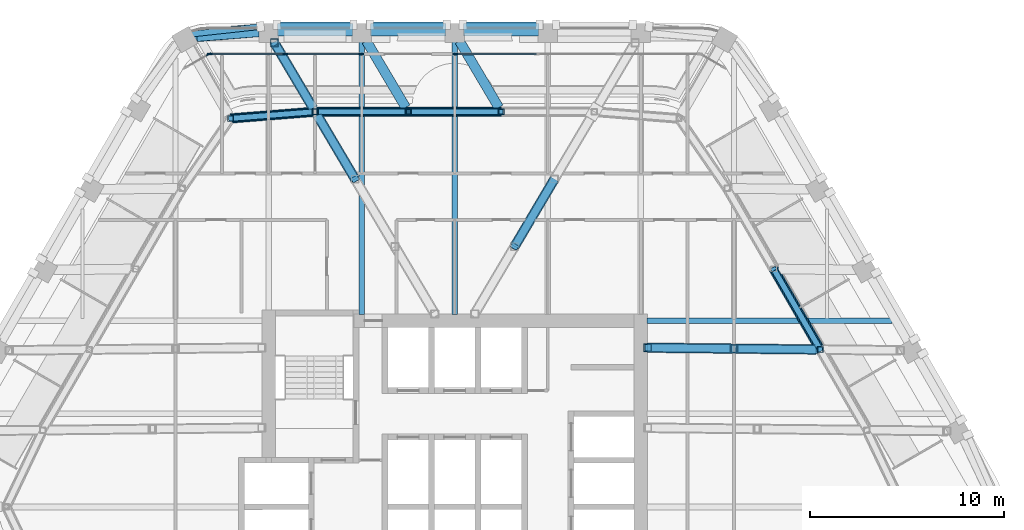
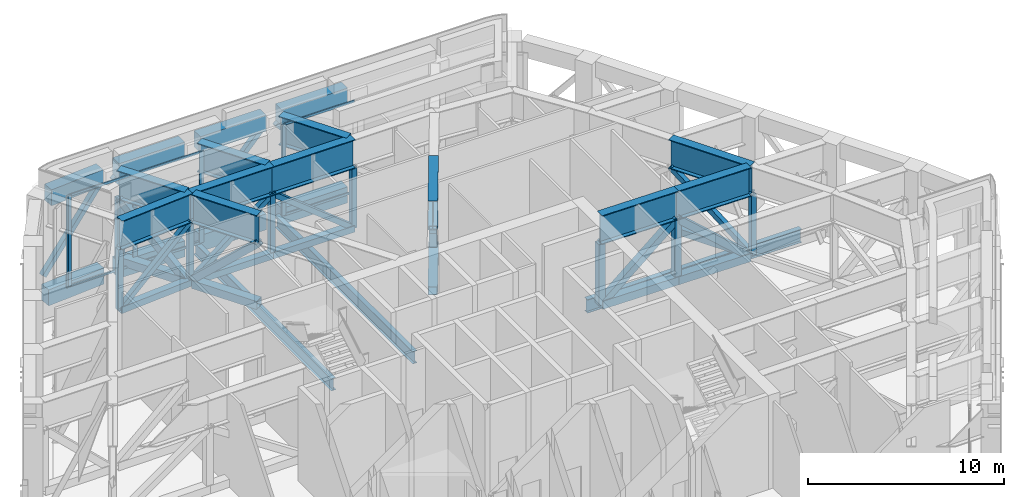
# One storey, part 9 of 24: 41 members, 22 beams, 3 elements without a shape of their own.
"""IFC4 building model written with IfcOpenShell, lengths in metres."""

from ifc_helpers import new_model, si_unit, direction, frame, origin, origin_2d, place, context, subcontext, project, spatial, rectangle, hollow_rectangle, i_section, extrude, material, material_profile, profile_set, type_object, element, aggregate, save


model = new_model("IFC4")

# Units and contexts
model_context = context("Model", 3, precision=1e-05, world=origin(), true_north=direction((0.0, 1.0)))
body_context = subcontext(model_context, "Body", "Model", "MODEL_VIEW")
ifc_project = project(units=[si_unit("LENGTHUNIT", "METRE"), si_unit("AREAUNIT", "SQUARE_METRE"), si_unit("VOLUMEUNIT", "CUBIC_METRE"), si_unit("PLANEANGLEUNIT", "RADIAN"), si_unit("MASSUNIT", "GRAM", prefix="KILO")], contexts=[model_context])

# Site, building, storey
site_placement = place(None, origin())
site = spatial("IfcSite", under=ifc_project, at=site_placement, CompositionType="ELEMENT")
building_placement = place(site_placement, origin())
building = spatial("IfcBuilding", under=site, at=building_placement, Name="Kolab Exchange Tower", CompositionType="ELEMENT")
storey_placement = place(building_placement, frame((0.0, 0.0, 216.800048828125)))
storey = spatial("IfcBuildingStorey", under=building, at=storey_placement, Name="L47", CompositionType="ELEMENT", Elevation=216.800048828125)

# Members
ifc_material_1 = material(Name="Steel S355", Category="steel")
ifc_material_profile_1 = material_profile(ifc_material_1, hollow_rectangle(XDim=0.300048828125, YDim=0.300048828125, WallThickness=0.01611328125, at=origin_2d()), Name="HSS300X300X16")
ifc_profile_set_1 = profile_set([ifc_material_profile_1], Name="Steel S355")
member_type_1 = type_object("IfcMemberType", Name="BELT TRUSS BRACE HSS300X300X16", PredefinedType="BRACE", material=ifc_profile_set_1)
member_1_placement = place(storey_placement, frame((-11.56787109375, 20.036376953125, 0.25), z_axis=(0.753086281984, 0.060024651395, 0.655177909512), x_axis=(-0.079452902216, 0.996838621006, 0.0)))
element("IfcMember", 1, at=member_1_placement, inside=storey, type_object=member_type_1, Name="mem/L47/ring/d-F1-01", PredefinedType="BRACE", context=body_context, shape_type="SweptSolid", body=[
    extrude(hollow_rectangle(XDim=0.300048828125, YDim=0.300048828125, WallThickness=0.01611328125, at=origin_2d()), origin(), (0.0, 0.0, 1.0), 5.800048828125),
])
for number, where, z_axis, x_axis, name in (
    (2, (-7.199951171875, 20.384521484375, 0.25), (0.784045015832, 0.0, 0.620703965791), (0.0, 1.0, 0.0), "mem/L47/ring/d-F1-02"),
    (3, (-2.39990234375, 20.384521484375, 4.050048828125), (0.784029651106, 0.0, -0.62072337332), (0.0, 1.0, 0.0), "mem/L47/ring/d-F1-03"),
    (4, (16.45361328125, 12.270751953125, 4.050048828125), (0.392004841722, -0.679009810783, -0.620707564741), (0.866037363387, 0.499979284789, 0.0), "mem/L47/ring/d-F2-03"),
):
    element("IfcMember", number, at=place(storey_placement, frame(where, z_axis=z_axis, x_axis=x_axis)), inside=storey, type_object=member_type_1, Name=name, PredefinedType="BRACE", context=body_context, shape_type="SweptSolid", body=[
        extrude(hollow_rectangle(XDim=0.300048828125, YDim=0.300048828125, WallThickness=0.01611328125, at=origin_2d()), origin(), (0.0, 0.0, 1.0), 6.1220703125),
    ])
member_2_placement = place(storey_placement, frame((-13.582763671875, 24.388916015625, 0.39990234375), z_axis=(0.635039153675, 0.069365949652, 0.769359238801), x_axis=(-0.108585115076, 0.994087155527, 0.0)))
element("IfcMember", 5, at=member_2_placement, inside=storey, type_object=member_type_1, Name="mem/L47/fb/F1-01", PredefinedType="BRACE", context=body_context, shape_type="SweptSolid", body=[
    extrude(hollow_rectangle(XDim=0.300048828125, YDim=0.300048828125, WallThickness=0.01611328125, at=origin_2d()), origin(), (0.0, 0.0, 1.0), 5.589111328125),
])
member_3_placement = place(storey_placement, frame((-9.1669921875, 24.864990234375, 4.699951171875), z_axis=(0.6750129769, 0.0, -0.737805855911), x_axis=(0.0, 1.0, 0.0)))
element("IfcMember", 6, at=member_3_placement, inside=storey, type_object=member_type_1, Name="mem/L47/fb/F1-02", PredefinedType="BRACE", context=body_context, shape_type="SweptSolid", body=[
    extrude(hollow_rectangle(XDim=0.300048828125, YDim=0.300048828125, WallThickness=0.01611328125, at=origin_2d()), origin(), (0.0, 0.0, 1.0), 5.828125),
])
for number, where, z_axis, x_axis, name in (
    (7, (-4.3671875, 24.864990234375, 0.39990234375), (0.675035778984, 0.0, 0.73778499381), (0.0, 1.0, 0.0), "mem/L47/fb/F1-03"),
    (8, (0.432861328125, 24.864990234375, 4.699951171875), (0.675035778984, 0.0, -0.73778499381), (0.0, 1.0, 0.0), "mem/L47/fb/F1-04"),
):
    element("IfcMember", number, at=place(storey_placement, frame(where, z_axis=z_axis, x_axis=x_axis)), inside=storey, type_object=member_type_1, Name=name, PredefinedType="BRACE", context=body_context, shape_type="SweptSolid", body=[
        extrude(hollow_rectangle(XDim=0.300048828125, YDim=0.300048828125, WallThickness=0.01611328125, at=origin_2d()), origin(), (0.0, 0.0, 1.0), 5.828369140625),
    ])
ifc_material_profile_2 = material_profile(ifc_material_1, hollow_rectangle(XDim=0.39990234375, YDim=0.39990234375, WallThickness=0.02001953125, at=origin_2d()), Name="HSS400X400X20")
ifc_profile_set_2 = profile_set([ifc_material_profile_2], Name="Steel S355")
member_type_2 = type_object("IfcMemberType", Name="BELT TRUSS CHORD HSS400X400X20", PredefinedType="CHORD", material=ifc_profile_set_2)
member_4_placement = place(storey_placement, frame((-11.56787109375, 20.036376953125, 0.25), z_axis=(0.996838621006, 0.079452902216, 0.0), x_axis=(-0.079452902216, 0.996838621006, 0.0)))
element("IfcMember", 9, at=member_4_placement, inside=storey, type_object=member_type_2, Name="mem/L47/ring/c-F1-01", PredefinedType="CHORD", context=body_context, shape_type="SweptSolid", body=[
    extrude(hollow_rectangle(XDim=0.39990234375, YDim=0.39990234375, WallThickness=0.02001953125, at=origin_2d()), origin(), (0.0, 0.0, 1.0), 4.3818359375),
])
member_5_placement = place(storey_placement, frame((-7.199951171875, 20.384521484375, 0.25), z_axis=(1.0, 0.0, 0.0), x_axis=(0.0, 1.0, 0.0)))
element("IfcMember", 10, at=member_5_placement, inside=storey, type_object=member_type_2, Name="mem/L47/ring/c-F1-02", PredefinedType="CHORD", context=body_context, shape_type="SweptSolid", body=[
    extrude(hollow_rectangle(XDim=0.39990234375, YDim=0.39990234375, WallThickness=0.02001953125, at=origin_2d()), origin(), (0.0, 0.0, 1.0), 4.800048828125),
])
member_6_placement = place(storey_placement, frame((-2.39990234375, 20.384521484375, 0.25), z_axis=(1.0, 0.0, 0.0), x_axis=(0.0, 1.0, 0.0)))
element("IfcMember", 11, at=member_6_placement, inside=storey, type_object=member_type_2, Name="mem/L47/ring/c-F1-03", PredefinedType="CHORD", context=body_context, shape_type="SweptSolid", body=[
    extrude(hollow_rectangle(XDim=0.39990234375, YDim=0.39990234375, WallThickness=0.02001953125, at=origin_2d()), origin(), (0.0, 0.0, 1.0), 4.7998046875),
])
member_7_placement = place(storey_placement, frame((16.45361328125, 12.270751953125, 0.25), z_axis=(0.499979284789, -0.866037363387, 0.0), x_axis=(0.866037363387, 0.499979284789, 0.0)))
element("IfcMember", 12, at=member_7_placement, inside=storey, type_object=member_type_2, Name="mem/L47/ring/c-F2-03", PredefinedType="CHORD", context=body_context, shape_type="SweptSolid", body=[
    extrude(hollow_rectangle(XDim=0.39990234375, YDim=0.39990234375, WallThickness=0.02001953125, at=origin_2d()), origin(), (0.0, 0.0, 1.0), 4.800048828125),
])

# Beams
ifc_material_profile_3 = material_profile(ifc_material_1, i_section(OverallWidth=0.5, OverallDepth=1.800048828125, WebThickness=0.031982421875, FlangeThickness=0.050048828125, at=origin_2d()), Name="PG1800X500")
ifc_profile_set_3 = profile_set([ifc_material_profile_3], Name="Steel S355")
beam_type_1 = type_object("IfcBeamType", Name="BELT TRUSS GIRDER PG1800X500", PredefinedType="BEAM", material=ifc_profile_set_3)
beam_1_placement = place(storey_placement, frame((-11.56787109375, 20.036376953125, 4.949951171875), z_axis=(0.996838621006, 0.079452902216, 0.0), x_axis=(-0.079452902216, 0.996838621006, 0.0)))
element("IfcBeam", 13, at=beam_1_placement, inside=storey, type_object=beam_type_1, Name="beam/L47/bg/F1-in", PredefinedType="BEAM", context=body_context, shape_type="SweptSolid", body=[
    extrude(i_section(OverallWidth=0.5, OverallDepth=1.800048828125, WebThickness=0.031982421875, FlangeThickness=0.050048828125, at=origin_2d()), origin(), (0.0, 0.0, 1.0), 4.3818359375),
])
beam_2_placement = place(storey_placement, frame((-7.199951171875, 20.384521484375, 4.949951171875), z_axis=(1.0, 0.0, 0.0), x_axis=(0.0, 1.0, 0.0)))
element("IfcBeam", 14, at=beam_2_placement, inside=storey, type_object=beam_type_1, Name="beam/L47/bg/F1-run0", PredefinedType="BEAM", context=body_context, shape_type="SweptSolid", body=[
    extrude(i_section(OverallWidth=0.5, OverallDepth=1.800048828125, WebThickness=0.031982421875, FlangeThickness=0.050048828125, at=origin_2d()), origin(), (0.0, 0.0, 1.0), 4.800048828125),
])
beam_3_placement = place(storey_placement, frame((-2.39990234375, 20.384521484375, 4.949951171875), z_axis=(1.0, 0.0, 0.0), x_axis=(0.0, 1.0, 0.0)))
element("IfcBeam", 15, at=beam_3_placement, inside=storey, type_object=beam_type_1, Name="beam/L47/bg/F1-run1", PredefinedType="BEAM", context=body_context, shape_type="SweptSolid", body=[
    extrude(i_section(OverallWidth=0.5, OverallDepth=1.800048828125, WebThickness=0.031982421875, FlangeThickness=0.050048828125, at=origin_2d()), origin(), (0.0, 0.0, 1.0), 4.7998046875),
])
beam_4_placement = place(storey_placement, frame((16.45361328125, 12.270751953125, 4.949951171875), z_axis=(0.499979284789, -0.866037363387, 0.0), x_axis=(0.866037363387, 0.499979284789, 0.0)))
element("IfcBeam", 16, at=beam_4_placement, inside=storey, type_object=beam_type_1, Name="beam/L47/bg/F2-run1", PredefinedType="BEAM", context=body_context, shape_type="SweptSolid", body=[
    extrude(i_section(OverallWidth=0.5, OverallDepth=1.800048828125, WebThickness=0.031982421875, FlangeThickness=0.050048828125, at=origin_2d()), origin(), (0.0, 0.0, 1.0), 4.800048828125),
])

# Members
ifc_material_profile_4 = material_profile(ifc_material_1, hollow_rectangle(XDim=0.300048828125, YDim=0.300048828125, WallThickness=0.01611328125, at=origin_2d()), Name="HSS300X300X16")
ifc_profile_set_4 = profile_set([ifc_material_profile_4], Name="Steel S355")
member_type_3 = type_object("IfcMemberType", Name="BELT TRUSS POST HSS300X300X16", PredefinedType="POST", material=ifc_profile_set_4)
for number, where, z_axis, x_axis, name in (
    (17, (-11.56787109375, 20.036376953125, 0.25), (0.0, 0.0, 1.0), (1.0, 0.0, 0.0), "mem/L47/ring/p-F1-01"),
    (18, (-7.199951171875, 20.384521484375, 0.25), (0.0, 0.0, 1.0), (1.0, 0.0, 0.0), "mem/L47/ring/p-F1-02"),
    (19, (-2.39990234375, 20.384521484375, 0.25), (0.0, 0.0, 1.0), (1.0, 0.0, 0.0), "mem/L47/ring/p-F1-03"),
    (20, (2.39990234375, 20.384521484375, 0.25), (0.0, 0.0, 1.0), (1.0, 0.0, 0.0), "mem/L47/ring/p-F1-04"),
    (21, (18.853515625, 8.11376953125, 0.25), (0.0, 0.0, 1.0), (1.0, 0.0, 0.0), "mem/L47/ring/p-F2-04"),
):
    element("IfcMember", number, at=place(storey_placement, frame(where, z_axis=z_axis, x_axis=x_axis)), inside=storey, type_object=member_type_3, Name=name, PredefinedType="POST", context=body_context, shape_type="SweptSolid", body=[
        extrude(hollow_rectangle(XDim=0.300048828125, YDim=0.300048828125, WallThickness=0.01611328125, at=origin_2d()), origin(), (0.0, 0.0, 1.0), 3.800048828125),
    ])

# Beams
ifc_material_profile_5 = material_profile(ifc_material_1, i_section(OverallWidth=0.26708984375, OverallDepth=0.761962890625, WebThickness=0.014404296875, FlangeThickness=0.021484375, at=origin_2d()), Name="W760X173")
ifc_profile_set_5 = profile_set([ifc_material_profile_5], Name="Steel S355")
beam_type_2 = type_object("IfcBeamType", Name="FLOOR BEAM W760X173", PredefinedType="BEAM", material=ifc_profile_set_5)
for number, where, z_axis, x_axis, name in (
    (22, (-4.800048828125, 9.909912109375, -0.68115234375), (0.0, 1.0, 0.0), (-1.0, 0.0, 0.0), "beam/L47/fr/010"),
    (23, (0.0, 9.909912109375, -0.68115234375), (0.0, 1.0, 0.0), (-1.0, 0.0, 0.0), "beam/L47/fr/012"),
):
    element("IfcBeam", number, at=place(storey_placement, frame(where, z_axis=z_axis, x_axis=x_axis)), inside=storey, type_object=beam_type_2, Name=name, PredefinedType="BEAM", context=body_context, shape_type="SweptSolid", body=[
        extrude(i_section(OverallWidth=0.26708984375, OverallDepth=0.761962890625, WebThickness=0.014404296875, FlangeThickness=0.021484375, at=origin_2d()), origin(), (0.0, 0.0, 1.0), 14.071533203125),
    ])
ifc_material_profile_6 = material_profile(ifc_material_1, i_section(OverallWidth=0.2919921875, OverallDepth=0.840087890625, WebThickness=0.0146484375, FlangeThickness=0.021728515625, at=origin_2d()), Name="W840X193")
ifc_profile_set_6 = profile_set([ifc_material_profile_6], Name="Steel S355")
beam_type_3 = type_object("IfcBeamType", Name="FLOOR GIRDER W840X193", PredefinedType="BEAM", material=ifc_profile_set_6)
beam_5_placement = place(storey_placement, frame((9.909912109375, 9.60009765625, -0.719970703125), z_axis=(1.0, 0.0, 0.0), x_axis=(0.0, 1.0, 0.0)))
element("IfcBeam", 24, at=beam_5_placement, inside=storey, type_object=beam_type_3, Name="beam/L47/gd/003", PredefinedType="BEAM", context=body_context, shape_type="SweptSolid", body=[
    extrude(i_section(OverallWidth=0.2919921875, OverallDepth=0.840087890625, WebThickness=0.0146484375, FlangeThickness=0.021728515625, at=origin_2d()), origin(), (0.0, 0.0, 1.0), 12.636962890625),
])

# Members
ifc_material_profile_7 = material_profile(ifc_material_1, hollow_rectangle(XDim=0.39990234375, YDim=0.39990234375, WallThickness=0.02001953125, at=origin_2d()), Name="HSS400X400X20")
ifc_profile_set_7 = profile_set([ifc_material_profile_7], Name="Steel S355")
member_type_4 = type_object("IfcMemberType", Name="OUTRIGGER BRACE HSS400X400X20", PredefinedType="BRACE", material=ifc_profile_set_7)
member_8_placement = place(storey_placement, frame((-5.142333984375, 16.906494140625, 4.050048828125), z_axis=(-0.373473447806, 0.631305680359, -0.67968428092), x_axis=(-0.86067015266, -0.509162929051, 0.0)))
element("IfcMember", 25, at=member_8_placement, inside=storey, type_object=member_type_4, Name="mem/L47/out/00/d02", PredefinedType="BRACE", context=body_context, shape_type="SweptSolid", body=[
    extrude(hollow_rectangle(XDim=0.39990234375, YDim=0.39990234375, WallThickness=0.02001953125, at=origin_2d()), origin(), (0.0, 0.0, 1.0), 5.22314453125),
])
member_9_placement = place(storey_placement, frame((-7.306884765625, 20.5654296875, 0.25), z_axis=(-0.365714956135, 0.618152599125, 0.695801649218), x_axis=(-0.860656286669, -0.509186366881, 0.0)))
element("IfcMember", 26, at=member_9_placement, inside=storey, type_object=member_type_4, Name="mem/L47/out/00/d03", PredefinedType="BRACE", context=body_context, shape_type="SweptSolid", body=[
    extrude(hollow_rectangle(XDim=0.39990234375, YDim=0.39990234375, WallThickness=0.02001953125, at=origin_2d()), origin(), (0.0, 0.0, 1.0), 5.46142578125),
])
member_10_placement = place(storey_placement, frame((3.084716796875, 13.42822265625, 4.050048828125), z_axis=(0.370922315511, 0.627020672649, -0.685026796503), x_axis=(-0.860679878671, 0.509146488204, 0.0)))
element("IfcMember", 27, at=member_10_placement, inside=storey, type_object=member_type_4, Name="mem/L47/out/01/d01", PredefinedType="BRACE", context=body_context, shape_type="SweptSolid", body=[
    extrude(hollow_rectangle(XDim=0.39990234375, YDim=0.39990234375, WallThickness=0.02001953125, at=origin_2d()), origin(), (0.0, 0.0, 1.0), 5.54736328125),
])
member_11_placement = place(storey_placement, frame((9.949951171875, 8.208251953125, 0.25), z_axis=(0.760569999289, -0.008049904572, 0.64920603449), x_axis=(0.010583448905, 0.999943993736, 0.0)))
element("IfcMember", 28, at=member_11_placement, inside=storey, type_object=member_type_4, Name="mem/L47/out/02/d00", PredefinedType="BRACE", context=body_context, shape_type="SweptSolid", body=[
    extrude(hollow_rectangle(XDim=0.39990234375, YDim=0.39990234375, WallThickness=0.02001953125, at=origin_2d()), origin(), (0.0, 0.0, 1.0), 5.853271484375),
])
member_12_placement = place(storey_placement, frame((14.40185546875, 8.1611328125, 4.050048828125), z_axis=(0.744795297784, -0.007887782594, -0.667246391736), x_axis=(0.01058994372, 0.999943924974, 0.0)))
element("IfcMember", 29, at=member_12_placement, inside=storey, type_object=member_type_4, Name="mem/L47/out/02/d01", PredefinedType="BRACE", context=body_context, shape_type="SweptSolid", body=[
    extrude(hollow_rectangle(XDim=0.39990234375, YDim=0.39990234375, WallThickness=0.02001953125, at=origin_2d()), origin(), (0.0, 0.0, 1.0), 5.695068359375),
])
ifc_material_profile_8 = material_profile(ifc_material_1, hollow_rectangle(XDim=0.5, YDim=0.5, WallThickness=0.02490234375, at=origin_2d()), Name="HSS500X500X25")
ifc_profile_set_8 = profile_set([ifc_material_profile_8], Name="Steel S355")
member_type_5 = type_object("IfcMemberType", Name="OUTRIGGER CHORD HSS500X500X25", PredefinedType="CHORD", material=ifc_profile_set_8)
member_13_placement = place(storey_placement, frame((-5.142333984375, 16.906494140625, 0.25), z_axis=(-0.509162929051, 0.86067015266, 0.0), x_axis=(-0.86067015266, -0.509162929051, 0.0)))
element("IfcMember", 30, at=member_13_placement, inside=storey, type_object=member_type_5, Name="mem/L47/out/00/c02", PredefinedType="CHORD", context=body_context, shape_type="SweptSolid", body=[
    extrude(hollow_rectangle(XDim=0.5, YDim=0.5, WallThickness=0.02490234375, at=origin_2d()), origin(), (0.0, 0.0, 1.0), 3.8310546875),
])
member_14_placement = place(storey_placement, frame((-7.306884765625, 20.5654296875, 0.25), z_axis=(-0.509186366881, 0.860656286669, 0.0), x_axis=(-0.860656286669, -0.509186366881, 0.0)))
element("IfcMember", 31, at=member_14_placement, inside=storey, type_object=member_type_5, Name="mem/L47/out/00/c03", PredefinedType="CHORD", context=body_context, shape_type="SweptSolid", body=[
    extrude(hollow_rectangle(XDim=0.5, YDim=0.5, WallThickness=0.02490234375, at=origin_2d()), origin(), (0.0, 0.0, 1.0), 3.922607421875),
])
member_15_placement = place(storey_placement, frame((3.084716796875, 13.42822265625, 0.25), z_axis=(0.509146488204, 0.860679878671, 0.0), x_axis=(-0.860679878671, 0.509146488204, 0.0)))
element("IfcMember", 32, at=member_15_placement, inside=storey, type_object=member_type_5, Name="mem/L47/out/01/c01", PredefinedType="CHORD", context=body_context, shape_type="SweptSolid", body=[
    extrude(hollow_rectangle(XDim=0.5, YDim=0.5, WallThickness=0.02490234375, at=origin_2d()), origin(), (0.0, 0.0, 1.0), 4.041259765625),
])
member_16_placement = place(storey_placement, frame((9.949951171875, 8.208251953125, 0.25), z_axis=(0.999943993736, -0.010583448905, 0.0), x_axis=(0.010583448905, 0.999943993736, 0.0)))
element("IfcMember", 33, at=member_16_placement, inside=storey, type_object=member_type_5, Name="mem/L47/out/02/c00", PredefinedType="CHORD", context=body_context, shape_type="SweptSolid", body=[
    extrude(hollow_rectangle(XDim=0.5, YDim=0.5, WallThickness=0.02490234375, at=origin_2d()), origin(), (0.0, 0.0, 1.0), 4.4521484375),
])
member_17_placement = place(storey_placement, frame((14.40185546875, 8.1611328125, 0.25), z_axis=(0.999943924974, -0.01058994372, 0.0), x_axis=(0.01058994372, 0.999943924974, 0.0)))
element("IfcMember", 34, at=member_17_placement, inside=storey, type_object=member_type_5, Name="mem/L47/out/02/c01", PredefinedType="CHORD", context=body_context, shape_type="SweptSolid", body=[
    extrude(hollow_rectangle(XDim=0.5, YDim=0.5, WallThickness=0.02490234375, at=origin_2d()), origin(), (0.0, 0.0, 1.0), 4.241943359375),
])

# Beams
ifc_material_profile_9 = material_profile(ifc_material_1, i_section(OverallWidth=0.5, OverallDepth=1.800048828125, WebThickness=0.031982421875, FlangeThickness=0.050048828125, at=origin_2d()), Name="PG1800X500")
ifc_profile_set_9 = profile_set([ifc_material_profile_9], Name="Steel S355")
beam_type_4 = type_object("IfcBeamType", Name="OUTRIGGER GIRDER PG1800X500", PredefinedType="BEAM", material=ifc_profile_set_9)
beam_6_placement = place(storey_placement, frame((-5.142333984375, 16.906494140625, 4.949951171875), z_axis=(-0.509162929051, 0.86067015266, 0.0), x_axis=(-0.86067015266, -0.509162929051, 0.0)))
element("IfcBeam", 35, at=beam_6_placement, inside=storey, type_object=beam_type_4, Name="beam/L47/og/00-02", PredefinedType="BEAM", context=body_context, shape_type="SweptSolid", body=[
    extrude(i_section(OverallWidth=0.5, OverallDepth=1.800048828125, WebThickness=0.031982421875, FlangeThickness=0.050048828125, at=origin_2d()), origin(), (0.0, 0.0, 1.0), 3.8310546875),
])
beam_7_placement = place(storey_placement, frame((-7.306884765625, 20.5654296875, 4.949951171875), z_axis=(-0.509185871859, 0.860656579536, 0.0), x_axis=(-0.860656579536, -0.509185871859, 0.0)))
element("IfcBeam", 36, at=beam_7_placement, inside=storey, type_object=beam_type_4, Name="beam/L47/og/00-03", PredefinedType="BEAM", context=body_context, shape_type="SweptSolid", body=[
    extrude(i_section(OverallWidth=0.5, OverallDepth=1.800048828125, WebThickness=0.031982421875, FlangeThickness=0.050048828125, at=origin_2d()), origin(), (0.0, 0.0, 1.0), 3.962890625),
])
beam_8_placement = place(storey_placement, frame((3.084716796875, 13.42822265625, 4.949951171875), z_axis=(0.509146488204, 0.860679878671, 0.0), x_axis=(-0.860679878671, 0.509146488204, 0.0)))
element("IfcBeam", 37, at=beam_8_placement, inside=storey, type_object=beam_type_4, Name="beam/L47/og/01-01", PredefinedType="BEAM", context=body_context, shape_type="SweptSolid", body=[
    extrude(i_section(OverallWidth=0.5, OverallDepth=1.800048828125, WebThickness=0.031982421875, FlangeThickness=0.050048828125, at=origin_2d()), origin(), (0.0, 0.0, 1.0), 4.041259765625),
])
beam_9_placement = place(storey_placement, frame((9.909912109375, 8.208740234375, 4.949951171875), z_axis=(0.999943841668, -0.010597806898, 0.0), x_axis=(0.010597806898, 0.999943841668, 0.0)))
element("IfcBeam", 38, at=beam_9_placement, inside=storey, type_object=beam_type_4, Name="beam/L47/og/02-00", PredefinedType="BEAM", context=body_context, shape_type="SweptSolid", body=[
    extrude(i_section(OverallWidth=0.5, OverallDepth=1.800048828125, WebThickness=0.031982421875, FlangeThickness=0.050048828125, at=origin_2d()), origin(), (0.0, 0.0, 1.0), 4.4921875),
])
beam_10_placement = place(storey_placement, frame((14.40185546875, 8.1611328125, 4.949951171875), z_axis=(0.999943924974, -0.01058994372, 0.0), x_axis=(0.01058994372, 0.999943924974, 0.0)))
element("IfcBeam", 39, at=beam_10_placement, inside=storey, type_object=beam_type_4, Name="beam/L47/og/02-01", PredefinedType="BEAM", context=body_context, shape_type="SweptSolid", body=[
    extrude(i_section(OverallWidth=0.5, OverallDepth=1.800048828125, WebThickness=0.031982421875, FlangeThickness=0.050048828125, at=origin_2d()), origin(), (0.0, 0.0, 1.0), 4.241943359375),
])

# Members
ifc_material_profile_10 = material_profile(ifc_material_1, hollow_rectangle(XDim=0.39990234375, YDim=0.39990234375, WallThickness=0.02001953125, at=origin_2d()), Name="HSS400X400X20")
ifc_profile_set_10 = profile_set([ifc_material_profile_10], Name="Steel S355")
member_type_6 = type_object("IfcMemberType", Name="OUTRIGGER POST HSS400X400X20", PredefinedType="POST", material=ifc_profile_set_10)
for number, where, z_axis, x_axis, name in (
    (40, (-9.30419921875, 23.94140625, 0.25), (0.0, 0.0, 1.0), (1.0, 0.0, 0.0), "mem/L47/out/00/p04"),
    (41, (9.949951171875, 8.208251953125, 0.25), (0.0, 0.0, 1.0), (1.0, 0.0, 0.0), "mem/L47/out/02/p00"),
    (42, (14.40185546875, 8.1611328125, 0.25), (0.0, 0.0, 1.0), (1.0, 0.0, 0.0), "mem/L47/out/02/p01"),
):
    element("IfcMember", number, at=place(storey_placement, frame(where, z_axis=z_axis, x_axis=x_axis)), inside=storey, type_object=member_type_6, Name=name, PredefinedType="POST", context=body_context, shape_type="SweptSolid", body=[
        extrude(hollow_rectangle(XDim=0.39990234375, YDim=0.39990234375, WallThickness=0.02001953125, at=origin_2d()), origin(), (0.0, 0.0, 1.0), 3.800048828125),
    ])

# Beams
ifc_material_2 = material(Name="Concrete C60/75", Category="concrete")
ifc_material_profile_11 = material_profile(ifc_material_2, rectangle(XDim=0.64990234375, YDim=1.0, at=origin_2d()), Name="RC650X1000")
ifc_profile_set_11 = profile_set([ifc_material_profile_11], Name="Concrete C60/75")
beam_type_5 = type_object("IfcBeamType", Name="SPANDREL BEAM 650X1000 C60/75", PredefinedType="BEAM", material=ifc_profile_set_11)
beam_11_placement = place(storey_placement, frame((-13.493896484375, 24.2998046875, -0.800048828125), z_axis=(0.996708497182, 0.081068931445, 0.0), x_axis=(-0.081068931445, 0.996708497182, 0.0)))
element("IfcBeam", 43, at=beam_11_placement, inside=storey, type_object=beam_type_5, Name="beam/L47/sp/F1-01", PredefinedType="BEAM", context=body_context, shape_type="SweptSolid", body=[
    extrude(rectangle(XDim=0.64990234375, YDim=1.0, at=origin_2d()), origin(), (0.0, 0.0, 1.0), 3.445068359375),
])
beam_12_placement = place(storey_placement, frame((-9.139892578125, 24.616455078125, -0.800048828125), z_axis=(1.0, 0.0, 0.0), x_axis=(0.0, 1.0, 0.0)))
element("IfcBeam", 44, at=beam_12_placement, inside=storey, type_object=beam_type_5, Name="beam/L47/sp/F1-02", PredefinedType="BEAM", context=body_context, shape_type="SweptSolid", body=[
    extrude(rectangle(XDim=0.64990234375, YDim=1.0, at=origin_2d()), origin(), (0.0, 0.0, 1.0), 3.8798828125),
])
for number, where, z_axis, x_axis, name in (
    (45, (-4.340087890625, 24.616455078125, -0.800048828125), (1.0, 0.0, 0.0), (0.0, 1.0, 0.0), "beam/L47/sp/F1-03"),
    (46, (0.4599609375, 24.616455078125, -0.800048828125), (1.0, 0.0, 0.0), (0.0, 1.0, 0.0), "beam/L47/sp/F1-04"),
):
    element("IfcBeam", number, at=place(storey_placement, frame(where, z_axis=z_axis, x_axis=x_axis)), inside=storey, type_object=beam_type_5, Name=name, PredefinedType="BEAM", context=body_context, shape_type="SweptSolid", body=[
        extrude(rectangle(XDim=0.64990234375, YDim=1.0, at=origin_2d()), origin(), (0.0, 0.0, 1.0), 3.880126953125),
    ])
beam_13_placement = place(storey_placement, frame((-13.306396484375, 24.32958984375, 5.349853515625), z_axis=(0.99700411578, 0.077348517229, 0.0), x_axis=(-0.077348517229, 0.99700411578, 0.0)))
element("IfcBeam", 47, at=beam_13_placement, inside=storey, type_object=beam_type_5, Name="beam/L47/cp/F1-01", PredefinedType="BEAM", context=body_context, shape_type="SweptSolid", body=[
    extrude(rectangle(XDim=0.64990234375, YDim=1.0, at=origin_2d()), origin(), (0.0, 0.0, 1.0), 3.206787109375),
])
beam_14_placement = place(storey_placement, frame((-9.139892578125, 24.616455078125, 5.349853515625), z_axis=(1.0, 0.0, 0.0), x_axis=(0.0, 1.0, 0.0)))
element("IfcBeam", 48, at=beam_14_placement, inside=storey, type_object=beam_type_5, Name="beam/L47/cp/F1-02", PredefinedType="BEAM", context=body_context, shape_type="SweptSolid", body=[
    extrude(rectangle(XDim=0.64990234375, YDim=1.0, at=origin_2d()), origin(), (0.0, 0.0, 1.0), 3.8798828125),
])
for number, where, z_axis, x_axis, name in (
    (49, (-4.340087890625, 24.616455078125, 5.349853515625), (1.0, 0.0, 0.0), (0.0, 1.0, 0.0), "beam/L47/cp/F1-03"),
    (50, (0.4599609375, 24.616455078125, 5.349853515625), (1.0, 0.0, 0.0), (0.0, 1.0, 0.0), "beam/L47/cp/F1-04"),
):
    element("IfcBeam", number, at=place(storey_placement, frame(where, z_axis=z_axis, x_axis=x_axis)), inside=storey, type_object=beam_type_5, Name=name, PredefinedType="BEAM", context=body_context, shape_type="SweptSolid", body=[
        extrude(rectangle(XDim=0.64990234375, YDim=1.0, at=origin_2d()), origin(), (0.0, 0.0, 1.0), 3.880126953125),
    ])
ifc_material_profile_12 = material_profile(ifc_material_1, i_section(OverallWidth=0.5, OverallDepth=1.800048828125, WebThickness=0.031982421875, FlangeThickness=0.050048828125, at=origin_2d()), Name="PG1800X500")
ifc_profile_set_12 = profile_set([ifc_material_profile_12], Name="Steel S355")
beam_type_6 = type_object("IfcBeamType", Name="TRANSFER GIRDER PG1800X500", PredefinedType="BEAM", material=ifc_profile_set_12)
for number, where, z_axis, x_axis, name in (
    (51, (-2.52734375, 20.599853515625, 4.949951171875), (-0.509177309019, 0.860661645468, 0.0), (-0.860661645468, -0.509177309019, 0.0), "beam/L47/tg/F1-03"),
    (52, (2.272705078125, 20.599853515625, 4.949951171875), (-0.509177309019, 0.860661645468, 0.0), (-0.860661645468, -0.509177309019, 0.0), "beam/L47/tg/F1-04"),
):
    element("IfcBeam", number, at=place(storey_placement, frame(where, z_axis=z_axis, x_axis=x_axis)), inside=storey, type_object=beam_type_6, Name=name, PredefinedType="BEAM", context=body_context, shape_type="SweptSolid", body=[
        extrude(i_section(OverallWidth=0.5, OverallDepth=1.800048828125, WebThickness=0.031982421875, FlangeThickness=0.050048828125, at=origin_2d()), origin(), (0.0, 0.0, 1.0), 3.983642578125),
    ])

# Curtain wall, members
ifc_material_3 = material(Name="Aluminium EN AW-6063 T6", Category="aluminium")
curtain_wall_type = type_object("IfcCurtainWallType", Name="UNITISED UPPER MID ZONE DOUBLE HEIGHT BELT CURTAIN WALL", PredefinedType="NOTDEFINED", material=ifc_material_3)
curtain_wall_1_placement = place(storey_placement, origin())
curtain_wall_1 = element("IfcCurtainWall", 53, at=curtain_wall_1_placement, inside=storey, type_object=curtain_wall_type, Name="cw/L47/F1-1", PredefinedType="NOTDEFINED")
ifc_material_profile_13 = material_profile(ifc_material_3, rectangle(XDim=0.06005859375, YDim=0.260009765625, at=origin_2d()), Name="RECT 60X260")
ifc_profile_set_13 = profile_set([ifc_material_profile_13], Name="Aluminium EN AW-6063 T6")
member_type_7 = type_object("IfcMemberType", Name="UNITISED UPPER MID ZONE DOUBLE HEIGHT BELT MULLION 60 X 260", PredefinedType="MULLION", material=ifc_profile_set_13)
member_18_placement = place(storey_placement, frame((-12.637939453125, 23.361572265625, 0.0), z_axis=(0.0, 0.0, 1.0), x_axis=(0.0, 1.0, 0.0)))
member_18 = element("IfcMember", 54, at=member_18_placement, type_object=member_type_7, Name="CW11 mullion 1", PredefinedType="MULLION", context=body_context, shape_type="SweptSolid", body=[
    extrude(rectangle(XDim=0.06005859375, YDim=0.260009765625, at=origin_2d()), origin(), (0.0, 0.0, 1.0), 5.699951171875),
])
member_19_placement = place(storey_placement, frame((-8.73388671875, 23.361572265625, 0.0), z_axis=(0.0, 0.0, 1.0), x_axis=(0.0, 1.0, 0.0)))
member_19 = element("IfcMember", 55, at=member_19_placement, type_object=member_type_7, Name="CW11 mullion 2", PredefinedType="MULLION", context=body_context, shape_type="SweptSolid", body=[
    extrude(rectangle(XDim=0.06005859375, YDim=0.260009765625, at=origin_2d()), origin(), (0.0, 0.0, 1.0), 5.699951171875),
])
member_20_placement = place(storey_placement, frame((-4.830078125, 23.361572265625, 0.0), z_axis=(0.0, 0.0, 1.0), x_axis=(0.0, 1.0, 0.0)))
member_20 = element("IfcMember", 56, at=member_20_placement, type_object=member_type_7, Name="CW11 mullion 3", PredefinedType="MULLION", context=body_context, shape_type="SweptSolid", body=[
    extrude(rectangle(XDim=0.06005859375, YDim=0.260009765625, at=origin_2d()), origin(), (0.0, 0.0, 1.0), 5.699951171875),
])

# Curtain wall, member
curtain_wall_2_placement = place(storey_placement, origin())
curtain_wall_2 = element("IfcCurtainWall", 57, at=curtain_wall_2_placement, inside=storey, type_object=curtain_wall_type, Name="cw/L47/F1-2", PredefinedType="NOTDEFINED")
member_21_placement = place(storey_placement, frame((0.030029296875, 23.361572265625, 0.0), z_axis=(0.0, 0.0, 1.0), x_axis=(0.0, 1.0, 0.0)))
member_21 = element("IfcMember", 58, at=member_21_placement, type_object=member_type_7, Name="CW11 mullion 1", PredefinedType="MULLION", context=body_context, shape_type="SweptSolid", body=[
    extrude(rectangle(XDim=0.06005859375, YDim=0.260009765625, at=origin_2d()), origin(), (0.0, 0.0, 1.0), 5.699951171875),
])

curtain_wall_3_placement = place(storey_placement, origin())
curtain_wall_3 = element("IfcCurtainWall", 59, at=curtain_wall_3_placement, inside=storey, type_object=curtain_wall_type, Name="cw/L47/F6F1-corner", PredefinedType="NOTDEFINED")
member_22_placement = place(storey_placement, frame((-12.69384765625, 23.346435546875, 0.0), z_axis=(0.0, 0.0, 1.0), x_axis=(-0.50000002237, 0.866025390869, 0.0)))
member_22 = element("IfcMember", 60, at=member_22_placement, type_object=member_type_7, Name="CW11 mullion 2", PredefinedType="MULLION", context=body_context, shape_type="SweptSolid", body=[
    extrude(rectangle(XDim=0.06005859375, YDim=0.260009765625, at=origin_2d()), origin(), (0.0, 0.0, 1.0), 5.699951171875),
])
aggregate(curtain_wall_3, [member_22])

# Member
ifc_material_profile_14 = material_profile(ifc_material_3, rectangle(XDim=0.06005859375, YDim=0.139892578125, at=origin_2d()), Name="RECT 60X140")
ifc_profile_set_14 = profile_set([ifc_material_profile_14], Name="Aluminium EN AW-6063 T6")
member_type_8 = type_object("IfcMemberType", Name="UNITISED UPPER MID ZONE DOUBLE HEIGHT BELT TRANSOM 60 X 140", PredefinedType="USERDEFINED", material=ifc_profile_set_14)
member_23_placement = place(storey_placement, frame((-12.60791015625, 23.361572265625, 0.030029296875), z_axis=(1.0, 0.0, 0.0), x_axis=(0.0, 1.0, 0.0)))
member_23 = element("IfcMember", 61, at=member_23_placement, type_object=member_type_8, Name="CW11 transom 1.1", ObjectType="TRANSOM", PredefinedType="USERDEFINED", context=body_context, shape_type="SweptSolid", body=[
    extrude(rectangle(XDim=0.06005859375, YDim=0.139892578125, at=origin_2d()), origin(), (0.0, 0.0, 1.0), 3.843994140625),
])

member_24_placement = place(storey_placement, frame((-12.60791015625, 23.361572265625, 5.669921875), z_axis=(1.0, 0.0, 0.0), x_axis=(0.0, 1.0, 0.0)))
member_24 = element("IfcMember", 62, at=member_24_placement, type_object=member_type_8, Name="CW11 transom 1.2", ObjectType="TRANSOM", PredefinedType="USERDEFINED", context=body_context, shape_type="SweptSolid", body=[
    extrude(rectangle(XDim=0.06005859375, YDim=0.139892578125, at=origin_2d()), origin(), (0.0, 0.0, 1.0), 3.843994140625),
])

member_25_placement = place(storey_placement, frame((-8.703857421875, 23.361572265625, 0.030029296875), z_axis=(1.0, 0.0, 0.0), x_axis=(0.0, 1.0, 0.0)))
member_25 = element("IfcMember", 63, at=member_25_placement, type_object=member_type_8, Name="CW11 transom 2.1", ObjectType="TRANSOM", PredefinedType="USERDEFINED", context=body_context, shape_type="SweptSolid", body=[
    extrude(rectangle(XDim=0.06005859375, YDim=0.139892578125, at=origin_2d()), origin(), (0.0, 0.0, 1.0), 3.84375),
])

member_26_placement = place(storey_placement, frame((-8.703857421875, 23.361572265625, 5.669921875), z_axis=(1.0, 0.0, 0.0), x_axis=(0.0, 1.0, 0.0)))
member_26 = element("IfcMember", 64, at=member_26_placement, type_object=member_type_8, Name="CW11 transom 2.2", ObjectType="TRANSOM", PredefinedType="USERDEFINED", context=body_context, shape_type="SweptSolid", body=[
    extrude(rectangle(XDim=0.06005859375, YDim=0.139892578125, at=origin_2d()), origin(), (0.0, 0.0, 1.0), 3.84375),
])

aggregate(curtain_wall_1, [member_18, member_19, member_20, member_23, member_24, member_25, member_26])

member_27_placement = place(storey_placement, frame((0.06005859375, 23.361572265625, 0.030029296875), z_axis=(1.0, 0.0, 0.0), x_axis=(0.0, 1.0, 0.0)))
member_27 = element("IfcMember", 65, at=member_27_placement, type_object=member_type_8, Name="CW11 transom 1.1", ObjectType="TRANSOM", PredefinedType="USERDEFINED", context=body_context, shape_type="SweptSolid", body=[
    extrude(rectangle(XDim=0.06005859375, YDim=0.139892578125, at=origin_2d()), origin(), (0.0, 0.0, 1.0), 4.132568359375),
])

member_28_placement = place(storey_placement, frame((0.06005859375, 23.361572265625, 5.669921875), z_axis=(1.0, 0.0, 0.0), x_axis=(0.0, 1.0, 0.0)))
member_28 = element("IfcMember", 66, at=member_28_placement, type_object=member_type_8, Name="CW11 transom 1.2", ObjectType="TRANSOM", PredefinedType="USERDEFINED", context=body_context, shape_type="SweptSolid", body=[
    extrude(rectangle(XDim=0.06005859375, YDim=0.139892578125, at=origin_2d()), origin(), (0.0, 0.0, 1.0), 4.132568359375),
])

aggregate(curtain_wall_2, [member_21, member_27, member_28])

save(model, "model.ifc")
